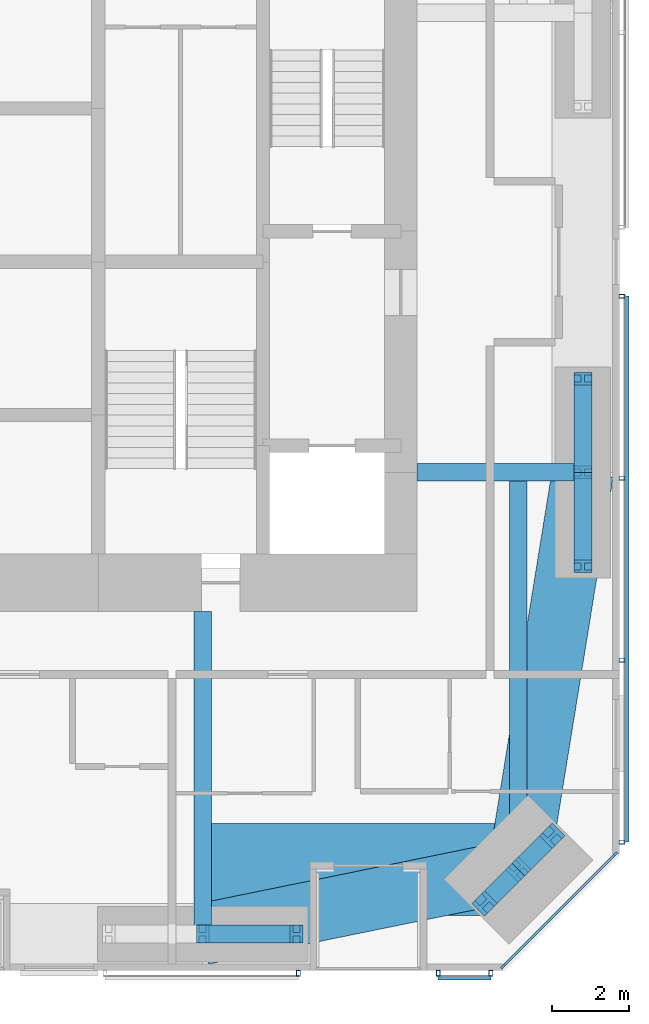
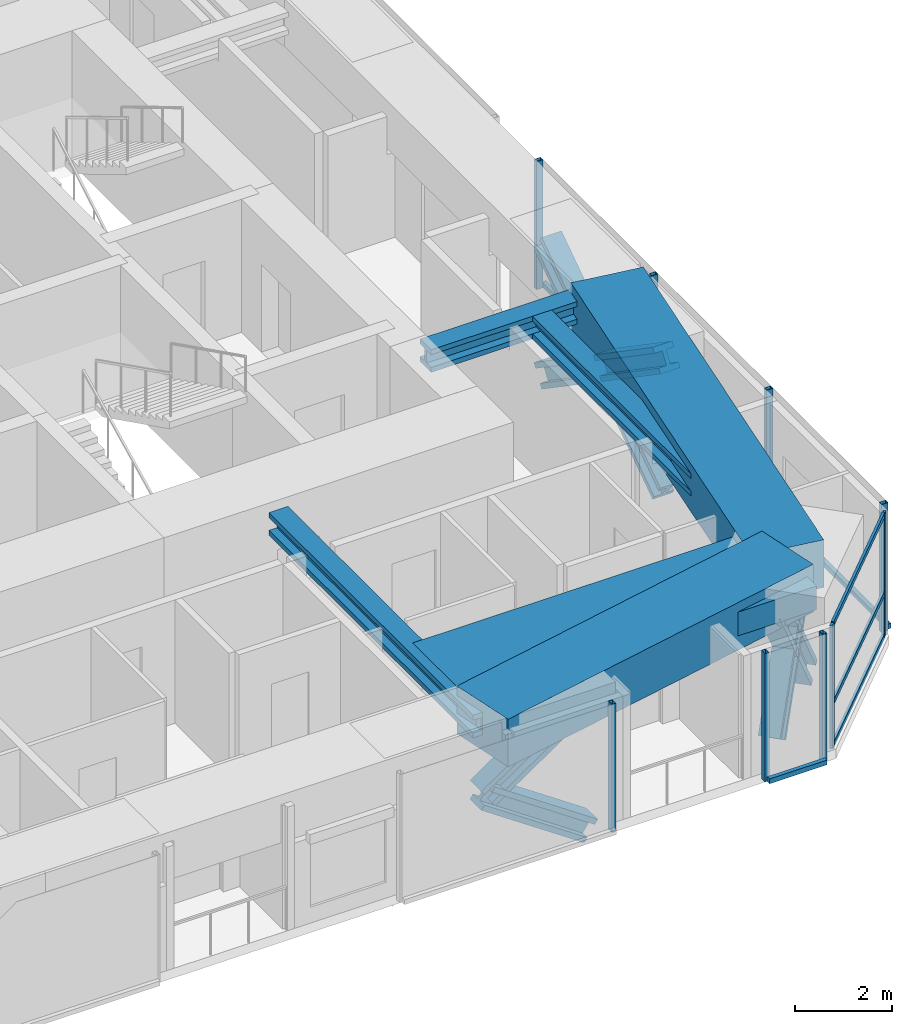
# One storey, part 8 of 24: 24 members, 6 beams, 4 elements without a shape of their own.
"""IFC4 building model written with IfcOpenShell, lengths in metres."""

from ifc_helpers import new_model, si_unit, direction, frame, origin, origin_2d, place, context, subcontext, project, spatial, rectangle, hollow_rectangle, i_section, extrude, material, material_profile, profile_set, type_object, element, aggregate, save


model = new_model("IFC4")

# Units and contexts
model_context = context("Model", 3, precision=1e-05, world=origin(), true_north=direction((0.0, 1.0)))
body_context = subcontext(model_context, "Body", "Model", "MODEL_VIEW")
ifc_project = project(units=[si_unit("LENGTHUNIT", "METRE"), si_unit("AREAUNIT", "SQUARE_METRE"), si_unit("VOLUMEUNIT", "CUBIC_METRE"), si_unit("PLANEANGLEUNIT", "RADIAN"), si_unit("MASSUNIT", "GRAM", prefix="KILO")], contexts=[model_context])

# Site, building, storey
site_placement = place(None, origin())
site = spatial("IfcSite", under=ifc_project, at=site_placement, CompositionType="ELEMENT")
building_placement = place(site_placement, origin())
building = spatial("IfcBuilding", under=site, at=building_placement, Name="Jalousie Tower", CompositionType="ELEMENT")
storey_placement = place(building_placement, frame((0.0, 0.0, 91.449951171875)))
storey = spatial("IfcBuildingStorey", under=building, at=storey_placement, Name="L24", CompositionType="ELEMENT", Elevation=91.449951171875)

# Curtain wall, members
ifc_material_1 = material(Name="Aluminium curtain wall", Category="aluminium")
curtain_wall_type_1 = type_object("IfcCurtainWallType", Name="CORNER WINDOW WALL", PredefinedType="USERDEFINED", material=ifc_material_1)
curtain_wall_1_placement = place(storey_placement, origin())
curtain_wall_1 = element("IfcCurtainWall", 1, at=curtain_wall_1_placement, inside=storey, type_object=curtain_wall_type_1, Name="Corner Window Wall L24 2", ObjectType="CORNER WINDOW WALL", PredefinedType="USERDEFINED")
ifc_material_2 = material(Name="Aluminium mullion", Category="aluminium")
ifc_material_profile_1 = material_profile(ifc_material_2, rectangle(XDim=0.06005859375, YDim=0.14990234375, at=origin_2d()), Name="MULLION 60x150")
ifc_profile_set_1 = profile_set([ifc_material_profile_1], Name="Aluminium mullion")
member_type_1 = type_object("IfcMemberType", Name="CORNER WINDOW WALL MULLION", PredefinedType="MULLION", material=ifc_profile_set_1)
member_1_placement = place(storey_placement, frame((46.469970703125, 0.108642578125, 0.0), z_axis=(0.0, 0.0, 1.0), x_axis=(-0.707106781187, 0.707106781187, 0.0)))
member_1 = element("IfcMember", 2, at=member_1_placement, type_object=member_type_1, Name="CW-C mullion 1", PredefinedType="MULLION", context=body_context, shape_type="SweptSolid", body=[
    extrude(rectangle(XDim=0.06005859375, YDim=0.14990234375, at=origin_2d()), origin(), (0.0, 0.0, 1.0), 3.110107421875),
])
member_2_placement = place(storey_placement, frame((49.391357421875, 3.030029296875, 0.0), z_axis=(0.0, 0.0, 1.0), x_axis=(-0.707106781187, 0.707106781187, 0.0)))
member_2 = element("IfcMember", 3, at=member_2_placement, type_object=member_type_1, Name="CW-C mullion 2", PredefinedType="MULLION", context=body_context, shape_type="SweptSolid", body=[
    extrude(rectangle(XDim=0.06005859375, YDim=0.14990234375, at=origin_2d()), origin(), (0.0, 0.0, 1.0), 3.110107421875),
])
ifc_material_3 = material(Name="Aluminium transom", Category="aluminium")
ifc_material_profile_2 = material_profile(ifc_material_3, rectangle(XDim=0.06005859375, YDim=0.1201171875, at=origin_2d()), Name="TRANSOM 60x120")
ifc_profile_set_2 = profile_set([ifc_material_profile_2], Name="Aluminium transom")
member_type_2 = type_object("IfcMemberType", Name="CORNER WINDOW WALL TRANSOM", PredefinedType="USERDEFINED", material=ifc_profile_set_2)
member_3_placement = place(storey_placement, frame((46.4912109375, 0.1298828125, 0.030029296875), z_axis=(0.707106781187, 0.707106781187, 0.0), x_axis=(-0.707106781187, 0.707106781187, 0.0)))
member_3 = element("IfcMember", 4, at=member_3_placement, type_object=member_type_2, Name="CW-C transom 1.1", ObjectType="TRANSOM", PredefinedType="USERDEFINED", context=body_context, shape_type="SweptSolid", body=[
    extrude(rectangle(XDim=0.06005859375, YDim=0.1201171875, at=origin_2d()), origin(), (0.0, 0.0, 1.0), 4.0712890625),
])
member_4_placement = place(storey_placement, frame((46.4912109375, 0.1298828125, 1.10009765625), z_axis=(0.707106781187, 0.707106781187, 0.0), x_axis=(-0.707106781187, 0.707106781187, 0.0)))
member_4 = element("IfcMember", 5, at=member_4_placement, type_object=member_type_2, Name="CW-C transom 1.2", ObjectType="TRANSOM", PredefinedType="USERDEFINED", context=body_context, shape_type="SweptSolid", body=[
    extrude(rectangle(XDim=0.06005859375, YDim=0.1201171875, at=origin_2d()), origin(), (0.0, 0.0, 1.0), 4.0712890625),
])
member_5_placement = place(storey_placement, frame((46.4912109375, 0.1298828125, 3.080078125), z_axis=(0.707106781187, 0.707106781187, 0.0), x_axis=(-0.707106781187, 0.707106781187, 0.0)))
member_5 = element("IfcMember", 6, at=member_5_placement, type_object=member_type_2, Name="CW-C transom 1.3", ObjectType="TRANSOM", PredefinedType="USERDEFINED", context=body_context, shape_type="SweptSolid", body=[
    extrude(rectangle(XDim=0.06005859375, YDim=0.1201171875, at=origin_2d()), origin(), (0.0, 0.0, 1.0), 4.0712890625),
])
aggregate(curtain_wall_1, [member_1, member_2, member_3, member_4, member_5])

# Beams
ifc_material_4 = material(Name="Steel ASTM A992 Grade 50", Category="steel")
ifc_material_profile_3 = material_profile(ifc_material_4, i_section(OverallWidth=0.45458984375, OverallDepth=0.569091796875, WebThickness=0.077880859375, FlangeThickness=0.124755859375, at=origin_2d()), Name="W14X730")
ifc_profile_set_3 = profile_set([ifc_material_profile_3], Name="Steel ASTM A992 Grade 50")
beam_type_1 = type_object("IfcBeamType", Name="LEAN COLLECTOR W14X730", PredefinedType="BEAM", material=ifc_profile_set_3)
beam_1_placement = place(storey_placement, frame((38.625, 0.949951171875, 2.825439453125), z_axis=(0.0, 1.0, 0.0), x_axis=(-1.0, 0.0, 0.0)))
element("IfcBeam", 7, at=beam_1_placement, inside=storey, type_object=beam_type_1, Name="Lean collector under L25", PredefinedType="BEAM", context=body_context, shape_type="SweptSolid", body=[
    extrude(i_section(OverallWidth=0.45458984375, OverallDepth=0.569091796875, WebThickness=0.077880859375, FlangeThickness=0.124755859375, at=origin_2d()), origin(), (0.0, 0.0, 1.0), 8.425048828125),
])
beam_2_placement = place(storey_placement, frame((48.550048828125, 13.0, 2.825439453125), z_axis=(-1.0, 0.0, 0.0), x_axis=(0.0, -1.0, 0.0)))
element("IfcBeam", 8, at=beam_2_placement, inside=storey, type_object=beam_type_1, Name="Lean collector under L25", PredefinedType="BEAM", context=body_context, shape_type="SweptSolid", body=[
    extrude(i_section(OverallWidth=0.45458984375, OverallDepth=0.569091796875, WebThickness=0.077880859375, FlangeThickness=0.124755859375, at=origin_2d()), origin(), (0.0, 0.0, 1.0), 4.324951171875),
])
beam_3_placement = place(storey_placement, frame((46.86865234375, 2.63134765625, 2.825439453125), z_axis=(0.0, 1.0, 0.0), x_axis=(-1.0, 0.0, 0.0)))
element("IfcBeam", 9, at=beam_3_placement, inside=storey, type_object=beam_type_1, Name="Lean collector under L25", PredefinedType="BEAM", context=body_context, shape_type="SweptSolid", body=[
    extrude(i_section(OverallWidth=0.45458984375, OverallDepth=0.569091796875, WebThickness=0.077880859375, FlangeThickness=0.124755859375, at=origin_2d()), origin(), (0.0, 0.0, 1.0), 10.36865234375),
])

# Members
ifc_material_5 = material(Name="Steel ASTM A992 Grade 50", Category="steel")
ifc_material_profile_4 = material_profile(ifc_material_5, i_section(OverallWidth=0.472412109375, OverallDepth=0.5791015625, WebThickness=0.094970703125, FlangeThickness=0.1298828125, at=origin_2d()), Name="W14X808")
ifc_profile_set_4 = profile_set([ifc_material_profile_4], Name="Steel ASTM A992 Grade 50")
member_type_3 = type_object("IfcMemberType", Name="PERIMETER BRACE W14X808", PredefinedType="BRACE", material=ifc_profile_set_4)
for number, where, z_axis, x_axis, name in (
    (10, (38.625, 0.949951171875, 1.074951171875), (0.825500916831, 0.0, 0.564400776321), (0.0, 1.0, 0.0), "Perimeter brace 04 L24 part 2"),
    (11, (41.074951171875, 0.949951171875, -0.599853515625), (-0.825539243753, 0.0, 0.564344714713), (0.0, -1.0, 0.0), "Perimeter brace 04 L24 part 3"),
):
    element("IfcMember", number, at=place(storey_placement, frame(where, z_axis=z_axis, x_axis=x_axis)), inside=storey, type_object=member_type_3, Name=name, PredefinedType="BRACE", context=body_context, shape_type="SweptSolid", body=[
        extrude(i_section(OverallWidth=0.472412109375, OverallDepth=0.5791015625, WebThickness=0.094970703125, FlangeThickness=0.1298828125, at=origin_2d()), origin(), (0.0, 0.0, 1.0), 2.9677734375),
    ])
member_6_placement = place(storey_placement, frame((45.984619140625, 1.74755859375, -0.599853515625), z_axis=(0.423008127391, 0.422891306588, 0.801390708065), x_axis=(-0.70700912125, 0.707204427637, 0.0)))
element("IfcMember", 12, at=member_6_placement, inside=storey, type_object=member_type_3, Name="Perimeter brace 05 L24 part 1", PredefinedType="BRACE", context=body_context, shape_type="SweptSolid", body=[
    extrude(i_section(OverallWidth=0.472412109375, OverallDepth=0.5791015625, WebThickness=0.094970703125, FlangeThickness=0.1298828125, at=origin_2d()), origin(), (0.0, 0.0, 1.0), 2.08984375),
])
member_7_placement = place(storey_placement, frame((46.86865234375, 2.63134765625, 1.074951171875), z_axis=(0.422851718556, 0.422968528423, 0.801432497518), x_axis=(-0.707204427637, 0.70700912125, 0.0)))
element("IfcMember", 13, at=member_7_placement, inside=storey, type_object=member_type_3, Name="Perimeter brace 05 L24 part 2", PredefinedType="BRACE", context=body_context, shape_type="SweptSolid", body=[
    extrude(i_section(OverallWidth=0.472412109375, OverallDepth=0.5791015625, WebThickness=0.094970703125, FlangeThickness=0.1298828125, at=origin_2d()), origin(), (0.0, 0.0, 1.0), 2.090087890625),
])
member_8_placement = place(storey_placement, frame((47.75244140625, 3.515380859375, -0.599853515625), z_axis=(-0.422891306588, -0.423008127391, 0.801390708065), x_axis=(0.707204427637, -0.70700912125, 0.0)))
element("IfcMember", 14, at=member_8_placement, inside=storey, type_object=member_type_3, Name="Perimeter brace 05 L24 part 3", PredefinedType="BRACE", context=body_context, shape_type="SweptSolid", body=[
    extrude(i_section(OverallWidth=0.472412109375, OverallDepth=0.5791015625, WebThickness=0.094970703125, FlangeThickness=0.1298828125, at=origin_2d()), origin(), (0.0, 0.0, 1.0), 2.08984375),
])
member_9_placement = place(storey_placement, frame((46.86865234375, 2.63134765625, 1.074951171875), z_axis=(-0.422968528423, -0.422851718556, 0.801432497518), x_axis=(0.70700912125, -0.707204427637, 0.0)))
element("IfcMember", 15, at=member_9_placement, inside=storey, type_object=member_type_3, Name="Perimeter brace 05 L24 part 4", PredefinedType="BRACE", context=body_context, shape_type="SweptSolid", body=[
    extrude(i_section(OverallWidth=0.472412109375, OverallDepth=0.5791015625, WebThickness=0.094970703125, FlangeThickness=0.1298828125, at=origin_2d()), origin(), (0.0, 0.0, 1.0), 2.090087890625),
])
for number, where, z_axis, x_axis, name in (
    (16, (48.550048828125, 10.550048828125, -0.599853515625), (0.0, 0.825539243753, 0.564344714713), (-1.0, 0.0, 0.0), "Perimeter brace 06 L24 part 1"),
    (17, (48.550048828125, 13.0, 1.074951171875), (0.0, 0.825500916831, 0.564400776321), (-1.0, 0.0, 0.0), "Perimeter brace 06 L24 part 2"),
    (18, (48.550048828125, 15.449951171875, -0.599853515625), (0.0, -0.825539243753, 0.564344714713), (1.0, 0.0, 0.0), "Perimeter brace 06 L24 part 3"),
    (19, (48.550048828125, 13.0, 1.074951171875), (0.0, -0.825500916831, 0.564400776321), (1.0, 0.0, 0.0), "Perimeter brace 06 L24 part 4"),
):
    element("IfcMember", number, at=place(storey_placement, frame(where, z_axis=z_axis, x_axis=x_axis)), inside=storey, type_object=member_type_3, Name=name, PredefinedType="BRACE", context=body_context, shape_type="SweptSolid", body=[
        extrude(i_section(OverallWidth=0.472412109375, OverallDepth=0.5791015625, WebThickness=0.094970703125, FlangeThickness=0.1298828125, at=origin_2d()), origin(), (0.0, 0.0, 1.0), 2.9677734375),
    ])

# Beams
ifc_material_6 = material(Name="Concrete f'c 40 MPa", Category="concrete")
ifc_material_profile_5 = material_profile(ifc_material_6, rectangle(XDim=1.60009765625, YDim=1.199951171875, at=origin_2d()), Name="RC 1600x1200")
ifc_profile_set_5 = profile_set([ifc_material_profile_5], Name="Concrete f'c 40 MPa")
beam_type_2 = type_object("IfcBeamType", Name="RC BEAM 1600x1200", PredefinedType="BEAM", material=ifc_profile_set_5)
beam_4_placement = place(storey_placement, frame((38.625, 0.949951171875, 2.75), z_axis=(0.97982690954, 0.199848010602, 0.0), x_axis=(-0.199848010602, 0.97982690954, 0.0)))
element("IfcBeam", 20, at=beam_4_placement, inside=storey, type_object=beam_type_2, Name="Edge band beam 04-05 under L25", PredefinedType="BEAM", context=body_context, shape_type="SweptSolid", body=[
    extrude(rectangle(XDim=1.60009765625, YDim=1.199951171875, at=origin_2d()), origin(), (0.0, 0.0, 1.0), 8.413330078125),
])
beam_5_placement = place(storey_placement, frame((46.86865234375, 2.63134765625, 2.75), z_axis=(0.160070546476, 0.987105577003, 0.0), x_axis=(-0.987105577003, 0.160070546476, 0.0)))
element("IfcBeam", 21, at=beam_5_placement, inside=storey, type_object=beam_type_2, Name="Edge band beam 05-06 under L25", PredefinedType="BEAM", context=body_context, shape_type="SweptSolid", body=[
    extrude(rectangle(XDim=1.60009765625, YDim=1.199951171875, at=origin_2d()), origin(), (0.0, 0.0, 1.0), 10.504150390625),
])
ifc_material_7 = material(Name="Concrete f'c 40 MPa", Category="concrete")
ifc_material_profile_6 = material_profile(ifc_material_7, rectangle(XDim=2.39990234375, YDim=0.60009765625, at=origin_2d()), Name="RC 2400x600")
ifc_profile_set_6 = profile_set([ifc_material_profile_6], Name="Concrete f'c 40 MPa")
beam_type_3 = type_object("IfcBeamType", Name="RC BEAM 2400x600", PredefinedType="BEAM", material=ifc_profile_set_6)
beam_6_placement = place(storey_placement, frame((46.86865234375, 2.63134765625, 2.81005859375), z_axis=(-1.0, 0.0, 0.0), x_axis=(0.0, -1.0, 0.0)))
element("IfcBeam", 22, at=beam_6_placement, inside=storey, type_object=beam_type_3, Name="Floor band beam under L25", PredefinedType="BEAM", context=body_context, shape_type="SweptSolid", body=[
    extrude(rectangle(XDim=2.39990234375, YDim=0.60009765625, at=origin_2d()), origin(), (0.0, 0.0, 1.0), 8.24365234375),
])

# Curtain wall, member
ifc_material_8 = material(Name="Perforated aluminium sheet", Category="aluminium")
curtain_wall_type_2 = type_object("IfcCurtainWallType", Name="SOLAR SCREEN SS-1", PredefinedType="USERDEFINED", material=ifc_material_8)
curtain_wall_2_placement = place(storey_placement, origin())
curtain_wall_2 = element("IfcCurtainWall", 23, at=curtain_wall_2_placement, inside=storey, type_object=curtain_wall_type_2, Name="Solar screen L24", ObjectType="SOLAR SCREEN SS-1", PredefinedType="USERDEFINED")
ifc_material_9 = material(Name="Steel ASTM A500 Grade C", Category="steel")
ifc_material_profile_7 = material_profile(ifc_material_9, hollow_rectangle(XDim=0.1015625, YDim=0.15234375, WallThickness=0.00634765625, at=origin_2d()), Name="HSS6X4X1/4")
ifc_profile_set_7 = profile_set([ifc_material_profile_7], Name="Steel ASTM A500 Grade C")
member_type_4 = type_object("IfcMemberType", Name="SOLAR SCREEN SS-1 MULLION", PredefinedType="MULLION", material=ifc_profile_set_7)
member_10_placement = place(storey_placement, frame((41.125, -0.0712890625, -0.119873046875), z_axis=(0.0, 0.0, 1.0), x_axis=(1.0, 0.0, 0.0)))
member_10 = element("IfcMember", 24, at=member_10_placement, type_object=member_type_4, Name="SS1 post 2", PredefinedType="MULLION", context=body_context, shape_type="SweptSolid", body=[
    extrude(hollow_rectangle(XDim=0.1015625, YDim=0.15234375, WallThickness=0.00634765625, at=origin_2d()), origin(), (0.0, 0.0, 1.0), 3.22998046875),
])
aggregate(curtain_wall_2, [member_10])

# Curtain wall, members
curtain_wall_3_placement = place(storey_placement, origin())
curtain_wall_3 = element("IfcCurtainWall", 25, at=curtain_wall_3_placement, inside=storey, type_object=curtain_wall_type_2, Name="Solar screen L24", ObjectType="SOLAR SCREEN SS-1", PredefinedType="USERDEFINED")
member_11_placement = place(storey_placement, frame((44.77490234375, -0.0712890625, -0.119873046875), z_axis=(0.0, 0.0, 1.0), x_axis=(1.0, 0.0, 0.0)))
member_11 = element("IfcMember", 26, at=member_11_placement, type_object=member_type_4, Name="SS1 post 1", PredefinedType="MULLION", context=body_context, shape_type="SweptSolid", body=[
    extrude(hollow_rectangle(XDim=0.1015625, YDim=0.15234375, WallThickness=0.00634765625, at=origin_2d()), origin(), (0.0, 0.0, 1.0), 3.22998046875),
])
member_12_placement = place(storey_placement, frame((46.148681640625, -0.0712890625, -0.119873046875), z_axis=(0.0, 0.0, 1.0), x_axis=(1.0, 0.0, 0.0)))
member_12 = element("IfcMember", 27, at=member_12_placement, type_object=member_type_4, Name="SS1 post 2", PredefinedType="MULLION", context=body_context, shape_type="SweptSolid", body=[
    extrude(hollow_rectangle(XDim=0.1015625, YDim=0.15234375, WallThickness=0.00634765625, at=origin_2d()), origin(), (0.0, 0.0, 1.0), 3.22998046875),
])

curtain_wall_4_placement = place(storey_placement, origin())
curtain_wall_4 = element("IfcCurtainWall", 28, at=curtain_wall_4_placement, inside=storey, type_object=curtain_wall_type_2, Name="Solar screen L24", ObjectType="SOLAR SCREEN SS-1", PredefinedType="USERDEFINED")
member_13_placement = place(storey_placement, frame((49.5712890625, 3.351318359375, -0.119873046875), z_axis=(0.0, 0.0, 1.0), x_axis=(0.0, 1.0, 0.0)))
member_13 = element("IfcMember", 29, at=member_13_placement, type_object=member_type_4, Name="SS1 post 1", PredefinedType="MULLION", context=body_context, shape_type="SweptSolid", body=[
    extrude(hollow_rectangle(XDim=0.1015625, YDim=0.15234375, WallThickness=0.00634765625, at=origin_2d()), origin(), (0.0, 0.0, 1.0), 3.22998046875),
])
member_14_placement = place(storey_placement, frame((49.5712890625, 8.100830078125, -0.119873046875), z_axis=(0.0, 0.0, 1.0), x_axis=(0.0, 1.0, 0.0)))
member_14 = element("IfcMember", 30, at=member_14_placement, type_object=member_type_4, Name="SS1 post 2", PredefinedType="MULLION", context=body_context, shape_type="SweptSolid", body=[
    extrude(hollow_rectangle(XDim=0.1015625, YDim=0.15234375, WallThickness=0.00634765625, at=origin_2d()), origin(), (0.0, 0.0, 1.0), 3.22998046875),
])
member_15_placement = place(storey_placement, frame((49.5712890625, 12.850341796875, -0.119873046875), z_axis=(0.0, 0.0, 1.0), x_axis=(0.0, 1.0, 0.0)))
member_15 = element("IfcMember", 31, at=member_15_placement, type_object=member_type_4, Name="SS1 post 3", PredefinedType="MULLION", context=body_context, shape_type="SweptSolid", body=[
    extrude(hollow_rectangle(XDim=0.1015625, YDim=0.15234375, WallThickness=0.00634765625, at=origin_2d()), origin(), (0.0, 0.0, 1.0), 3.22998046875),
])
member_16_placement = place(storey_placement, frame((49.5712890625, 17.60009765625, -0.119873046875), z_axis=(0.0, 0.0, 1.0), x_axis=(0.0, 1.0, 0.0)))
member_16 = element("IfcMember", 32, at=member_16_placement, type_object=member_type_4, Name="SS1 post 4", PredefinedType="MULLION", context=body_context, shape_type="SweptSolid", body=[
    extrude(hollow_rectangle(XDim=0.1015625, YDim=0.15234375, WallThickness=0.00634765625, at=origin_2d()), origin(), (0.0, 0.0, 1.0), 3.22998046875),
])

# Member
ifc_material_10 = material(Name="Extruded aluminium screen rail", Category="aluminium")
ifc_material_profile_8 = material_profile(ifc_material_10, rectangle(XDim=0.1015625, YDim=0.1201171875, at=origin_2d()), Name="RAIL 102x120")
ifc_profile_set_8 = profile_set([ifc_material_profile_8], Name="Extruded aluminium screen rail")
member_type_5 = type_object("IfcMemberType", Name="SOLAR SCREEN SS-1 TRANSOM", PredefinedType="USERDEFINED", material=ifc_profile_set_8)
member_17_placement = place(storey_placement, frame((44.77490234375, -0.1982421875, -0.06005859375), z_axis=(1.0, 0.0, 0.0), x_axis=(0.0, 1.0, 0.0)))
member_17 = element("IfcMember", 33, at=member_17_placement, type_object=member_type_5, Name="SS1 rail", ObjectType="TRANSOM", PredefinedType="USERDEFINED", context=body_context, shape_type="SweptSolid", body=[
    extrude(rectangle(XDim=0.1015625, YDim=0.1201171875, at=origin_2d()), origin(), (0.0, 0.0, 1.0), 1.373779296875),
])

aggregate(curtain_wall_3, [member_11, member_12, member_17])

member_18_placement = place(storey_placement, frame((49.6982421875, 3.351318359375, -0.06005859375), z_axis=(0.0, 1.0, 0.0), x_axis=(-1.0, 0.0, 0.0)))
member_18 = element("IfcMember", 34, at=member_18_placement, type_object=member_type_5, Name="SS1 rail", ObjectType="TRANSOM", PredefinedType="USERDEFINED", context=body_context, shape_type="SweptSolid", body=[
    extrude(rectangle(XDim=0.1015625, YDim=0.1201171875, at=origin_2d()), origin(), (0.0, 0.0, 1.0), 14.248779296875),
])

aggregate(curtain_wall_4, [member_13, member_14, member_15, member_16, member_18])

save(model, "model.ifc")
